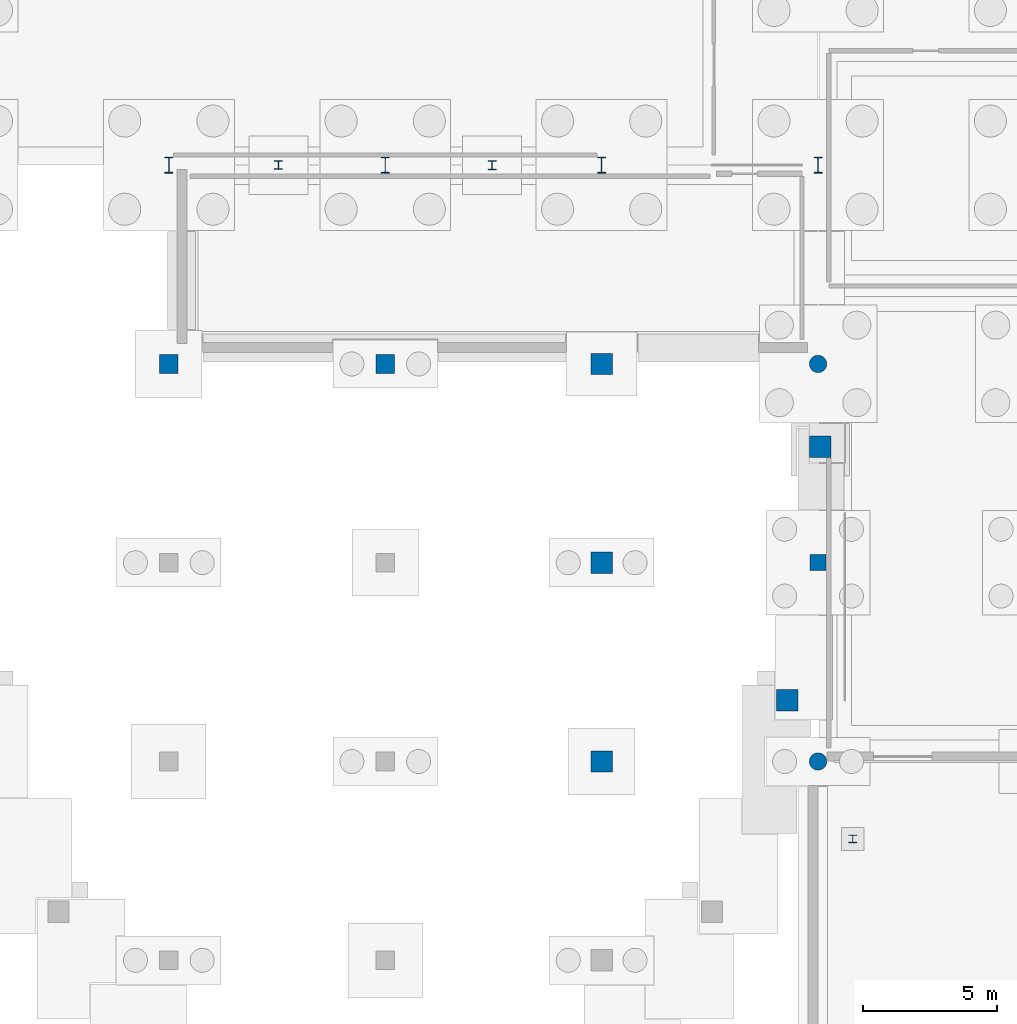
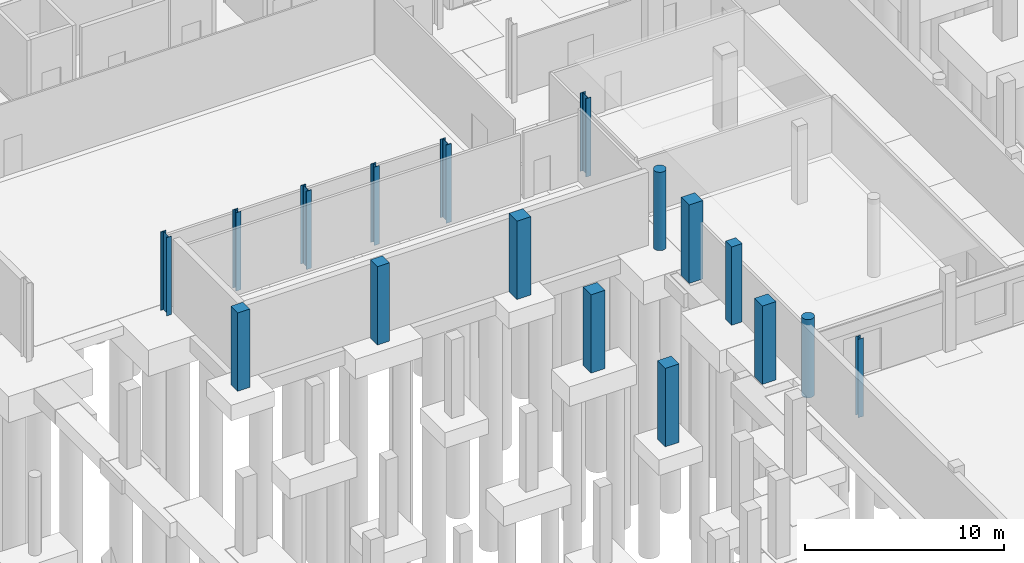
# One storey, part 13 of 37: 17 columns.
"""IFC4 building model written with IfcOpenShell, lengths in metres."""

import ifcopenshell
import ifcopenshell.guid

model = None  # the IFC model being written
_history = None  # IfcOwnerHistory: only IFC2X3 demands one
_inside = {}  # id of a spatial element -> (the spatial element, [elements in it])
_under = {}  # id of a project, library or spatial element -> (it, [spatial elements below it])
_declared = {}  # id of a project -> (the project, [libraries it declares])
_typed = {}  # id of a type object -> (the type object, [elements of that type])
_made_of = {}  # id of a material, layer set ... -> (it, [elements and type objects made of it])


def new_model(schema):
    """Start an empty IFC model of exactly this schema.

    Asked for "IFC4X3", IfcOpenShell would pick the latest addendum, in which some entities
    have other attributes; the version numbers below select the first issue.
    IFC2X3 requires an IfcOwnerHistory on every rooted entity: one is made here for all.
    """
    global model, _history
    if schema == "IFC4X3":
        model = ifcopenshell.file(schema_version=(4, 3, 0, 0))
    else:
        model = ifcopenshell.file(schema=schema)
    _inside.clear()
    _under.clear()
    _declared.clear()
    _typed.clear()
    _made_of.clear()
    _history = None
    if model.schema == "IFC2X3":
        org = make("IfcOrganization", Name="unknown")
        user = make(
            "IfcPersonAndOrganization",
            ThePerson=make("IfcPerson", FamilyName="unknown"),
            TheOrganization=org,
        )
        app = make(
            "IfcApplication",
            ApplicationDeveloper=org,
            Version="unknown",
            ApplicationFullName="unknown",
            ApplicationIdentifier="unknown",
        )
        _history = make(
            "IfcOwnerHistory",
            OwningUser=user,
            OwningApplication=app,
            ChangeAction="ADDED",
            CreationDate=0,
        )
    return model


def make(cls, **values):
    """One entity of the class cls with the attributes given. An attribute that is None is left unset."""
    return model.create_entity(
        cls, **{name: value for name, value in values.items() if value is not None}
    )


def rooted(cls, **values):
    """An entity with a GlobalId (a new one), such as an element, a storey or a relation."""
    return make(cls, GlobalId=ifcopenshell.guid.new(), OwnerHistory=_history, **values)


def si_unit(unit_type, name, prefix=None):
    """IfcSIUnit, for example si_unit("LENGTHUNIT", "METRE", prefix="MILLI")."""
    return make("IfcSIUnit", UnitType=unit_type, Prefix=prefix, Name=name)


def assignment(units):
    """IfcUnitAssignment: the units of a project."""
    return None if units is None else make("IfcUnitAssignment", Units=units)


def point(xyz):
    """IfcCartesianPoint."""
    return None if xyz is None else make("IfcCartesianPoint", Coordinates=xyz)


def direction(xyz):
    """IfcDirection."""
    return None if xyz is None else make("IfcDirection", DirectionRatios=xyz)


def frame(location, z_axis=None, x_axis=None):
    """IfcAxis2Placement3D, a coordinate frame: its origin and axes. An axis left out is left unset."""
    return make(
        "IfcAxis2Placement3D",
        Location=point(location),
        Axis=direction(z_axis),
        RefDirection=direction(x_axis),
    )


def frame_2d(location, x_axis=None):
    """IfcAxis2Placement2D, a coordinate frame in the plane: its origin and x axis."""
    return make(
        "IfcAxis2Placement2D", Location=point(location), RefDirection=direction(x_axis)
    )


def origin():
    """The frame at (0, 0, 0) with its axes left unset."""
    return frame((0.0, 0.0, 0.0))


def origin_2d():
    """The frame at (0, 0) in the plane with its x axis left unset."""
    return frame_2d((0.0, 0.0))


def place(relative_to, where):
    """IfcLocalPlacement: puts the frame where relative to a parent placement (None: the world)."""
    return make(
        "IfcLocalPlacement", PlacementRelTo=relative_to, RelativePlacement=where
    )


def context(
    kind, dimensions, precision=None, world=None, true_north=None, identifier=None
):
    """IfcGeometricRepresentationContext, for example the 3D "Model" context."""
    return make(
        "IfcGeometricRepresentationContext",
        ContextIdentifier=identifier,
        ContextType=kind,
        CoordinateSpaceDimension=dimensions,
        Precision=precision,
        WorldCoordinateSystem=world,
        TrueNorth=true_north,
    )


def subcontext(parent, identifier, kind, view, scale=None):
    """IfcGeometricRepresentationSubContext, for example "Body" below "Model"."""
    return make(
        "IfcGeometricRepresentationSubContext",
        ContextIdentifier=identifier,
        ContextType=kind,
        ParentContext=parent,
        TargetScale=scale,
        TargetView=view,
    )


def project(units=None, contexts=None):
    """IfcProject with its units and contexts."""
    return rooted(
        "IfcProject",
        Name="project",
        RepresentationContexts=contexts,
        UnitsInContext=assignment(units),
    )


def spatial(cls, under=None, at=None, **own):
    """A site, building, storey or space (cls), placed at a placement, below another one or the project."""
    s = rooted(cls, ObjectPlacement=at, **own)
    if under is not None:
        _under.setdefault(under.id(), (under, []))[1].append(s)
    return s


def profile(cls, at=None, kind="AREA", **sizes):
    """A parametric profile (cls). Its sizes go by their IFC names, for example OverallWidth=200.0."""
    return make(cls, ProfileType=kind, Position=at, **sizes)


def rectangle(**sizes):
    """IfcRectangleProfileDef."""
    return profile("IfcRectangleProfileDef", **sizes)


def circle(**sizes):
    """IfcCircleProfileDef."""
    return profile("IfcCircleProfileDef", **sizes)


def i_section(**sizes):
    """IfcIShapeProfileDef."""
    return profile("IfcIShapeProfileDef", **sizes)


def extrude(swept, where, along, depth):
    """IfcExtrudedAreaSolid: the profile swept, set in the frame where, extruded along a direction by depth."""
    return make(
        "IfcExtrudedAreaSolid",
        SweptArea=swept,
        Position=where,
        ExtrudedDirection=direction(along),
        Depth=depth,
    )


def shape(context_of_items, identifier, shape_type, items):
    """IfcShapeRepresentation: the items that make up one representation, for example the "Body"."""
    return make(
        "IfcShapeRepresentation",
        ContextOfItems=context_of_items,
        RepresentationIdentifier=identifier,
        RepresentationType=shape_type,
        Items=items,
    )


def material(Name=None, Category=None):
    """IfcMaterial."""
    return make("IfcMaterial", Name=Name, Category=Category)


def material_profile(
    of_material, cross_section, Name=None, Category=None, Priority=None
):
    """IfcMaterialProfile: a cross section and its material."""
    return make(
        "IfcMaterialProfile",
        Name=Name,
        Material=of_material,
        Profile=cross_section,
        Priority=Priority,
        Category=Category,
    )


def profile_set(profiles, Name=None, composite=None):
    """IfcMaterialProfileSet."""
    return make(
        "IfcMaterialProfileSet",
        Name=Name,
        MaterialProfiles=profiles,
        CompositeProfile=composite,
    )


def made_of(thing, what):
    """Note that an element or type object is made of a material, layer set ...; save() writes the relation."""
    if what is not None:
        _made_of.setdefault(what.id(), (what, []))[1].append(thing)
    return thing


def type_object(cls, material=None, **own):
    """A type object (cls), such as IfcWallType, which elements share."""
    return made_of(rooted(cls, **own), material)


def element(
    cls,
    number,
    at=None,
    inside=None,
    cuts=None,
    type_object=None,
    material=None,
    context=None,
    identifier="Body",
    shape_type=None,
    held_by="IfcProductDefinitionShape",
    body=None,
    shapes=None,
    **own,
):
    """One element of the class cls, such as IfcWall. Its Tag is "e" and its number.

    at: its placement. inside: the storey or other place that contains it. cuts: it is an
    opening in that element (IfcRelVoidsElement). A single representation is given by context,
    identifier, shape_type and body (its items); several are given by shapes. held_by: the class
    of the entity that holds the representations. save() writes the other relations.
    """
    e = rooted(cls, Tag="e%d" % number, ObjectPlacement=at, **own)
    if body is not None:
        shapes = [shape(context, identifier, shape_type, body)]
    if shapes is not None:
        e.Representation = make(held_by, Representations=shapes)
    if inside is not None:
        _inside.setdefault(inside.id(), (inside, []))[1].append(e)
    if cuts is not None:
        rooted(
            "IfcRelVoidsElement", RelatingBuildingElement=cuts, RelatedOpeningElement=e
        )
    if type_object is not None:
        _typed.setdefault(type_object.id(), (type_object, []))[1].append(e)
    return made_of(e, material)


def aggregate(whole, parts):
    """IfcRelAggregates: a whole, such as a stair, and the parts it consists of."""
    return rooted("IfcRelAggregates", RelatingObject=whole, RelatedObjects=parts)


def save(model, path):
    """Write the relations noted so far, then the file.

    IfcRelAggregates (storeys below a building ...), IfcRelContainedInSpatialStructure (elements
    in a storey), IfcRelDefinesByType, IfcRelAssociatesMaterial and IfcRelDeclares: one each for
    every whole, place, type object, material and project.
    """
    for whole, parts in _under.values():
        aggregate(whole, parts)
    for where, things in _inside.values():
        rooted(
            "IfcRelContainedInSpatialStructure",
            RelatedElements=things,
            RelatingStructure=where,
        )
    for kind, things in _typed.values():
        rooted("IfcRelDefinesByType", RelatedObjects=things, RelatingType=kind)
    for what, things in _made_of.values():
        rooted("IfcRelAssociatesMaterial", RelatedObjects=things, RelatingMaterial=what)
    for by, libraries in _declared.values():
        rooted("IfcRelDeclares", RelatingContext=by, RelatedDefinitions=libraries)
    model.write(path)


model = new_model("IFC4")

# Units and contexts
model_context = context("Model", 3, precision=1e-05, world=origin(), true_north=direction((0.0, 1.0)))
body_context = subcontext(model_context, "Body", "Model", "MODEL_VIEW")
ifc_project = project(units=[si_unit("LENGTHUNIT", "METRE"), si_unit("AREAUNIT", "SQUARE_METRE"), si_unit("VOLUMEUNIT", "CUBIC_METRE"), si_unit("PLANEANGLEUNIT", "RADIAN"), si_unit("MASSUNIT", "GRAM", prefix="KILO")], contexts=[model_context])

# Site, building, storey
site_placement = place(None, origin())
site = spatial("IfcSite", under=ifc_project, at=site_placement, CompositionType="ELEMENT")
building_placement = place(site_placement, origin())
building = spatial("IfcBuilding", under=site, at=building_placement, Name="Kaelora Sail Theatre", CompositionType="ELEMENT")
storey_placement = place(building_placement, frame((0.0, 0.0, -4.800048828125)))
storey = spatial("IfcBuildingStorey", under=building, at=storey_placement, Name="B1", CompositionType="ELEMENT", Elevation=-4.800048828125)

# Columns
ifc_material_1 = material(Name="Steel S355", Category="steel")
ifc_material_profile_1 = material_profile(ifc_material_1, i_section(OverallWidth=0.300048828125, OverallDepth=0.2900390625, WebThickness=0.008544921875, FlangeThickness=0.013916015625, FilletRadius=0.027099609375, at=origin_2d()), Name="HEA 300")
ifc_profile_set_1 = profile_set([ifc_material_profile_1], Name="Steel S355")
column_type_1 = type_object("IfcColumnType", Name="STR-COL-C-HEA300", PredefinedType="COLUMN", material=ifc_profile_set_1)
column_1_placement = place(storey_placement, frame((59.5, 35.800048828125, 0.0), z_axis=(0.0, 0.0, 1.0), x_axis=(1.0, 0.0, 0.0)))
element("IfcColumn", 1, at=column_1_placement, inside=storey, type_object=column_type_1, Name="Entrance canopy substructure pier W", PredefinedType="COLUMN", context=body_context, shape_type="SweptSolid", body=[
    extrude(i_section(OverallWidth=0.300048828125, OverallDepth=0.2900390625, WebThickness=0.008544921875, FlangeThickness=0.013916015625, FilletRadius=0.027099609375, at=origin_2d()), origin(), (0.0, 0.0, 1.0), 4.800048828125),
])
ifc_material_2 = material(Name="Steel S355", Category="steel")
ifc_material_profile_2 = material_profile(ifc_material_2, i_section(OverallWidth=0.300048828125, OverallDepth=0.320068359375, WebThickness=0.011474609375, FlangeThickness=0.0205078125, FilletRadius=0.027099609375, at=origin_2d()), Name="HEB 320")
ifc_profile_set_2 = profile_set([ifc_material_profile_2], Name="Steel S355")
column_type_2 = type_object("IfcColumnType", Name="STR-COL-C-HEB320", PredefinedType="COLUMN", material=ifc_profile_set_2)
column_2_placement = place(storey_placement, frame((38.0, 61.02001953125, 0.0), z_axis=(0.0, 0.0, 1.0), x_axis=(1.0, 0.0, 0.0)))
element("IfcColumn", 2, at=column_2_placement, inside=storey, type_object=column_type_2, Name="Understage/Link substructure column 05", PredefinedType="COLUMN", context=body_context, shape_type="SweptSolid", body=[
    extrude(i_section(OverallWidth=0.300048828125, OverallDepth=0.320068359375, WebThickness=0.011474609375, FlangeThickness=0.0205078125, FilletRadius=0.027099609375, at=origin_2d()), origin(), (0.0, 0.0, 1.0), 4.800048828125),
])
ifc_material_3 = material(Name="Steel S355", Category="steel")
ifc_material_profile_3 = material_profile(ifc_material_3, i_section(OverallWidth=0.300048828125, OverallDepth=0.340087890625, WebThickness=0.011962890625, FlangeThickness=0.021484375, FilletRadius=0.027099609375, at=origin_2d()), Name="HEB 340")
ifc_profile_set_3 = profile_set([ifc_material_profile_3], Name="Steel S355")
column_type_3 = type_object("IfcColumnType", Name="STR-COL-C-HEB340", PredefinedType="COLUMN", material=ifc_profile_set_3)
column_3_placement = place(storey_placement, frame((46.0, 61.02001953125, 0.0), z_axis=(0.0, 0.0, 1.0), x_axis=(1.0, 0.0, 0.0)))
element("IfcColumn", 3, at=column_3_placement, inside=storey, type_object=column_type_3, Name="Understage/Link substructure column 06", PredefinedType="COLUMN", context=body_context, shape_type="SweptSolid", body=[
    extrude(i_section(OverallWidth=0.300048828125, OverallDepth=0.340087890625, WebThickness=0.011962890625, FlangeThickness=0.021484375, FilletRadius=0.027099609375, at=origin_2d()), origin(), (0.0, 0.0, 1.0), 4.800048828125),
])
ifc_material_4 = material(Name="Steel S355", Category="steel")
ifc_material_profile_4 = material_profile(ifc_material_4, i_section(OverallWidth=0.300048828125, OverallDepth=0.60009765625, WebThickness=0.015380859375, FlangeThickness=0.030029296875, FilletRadius=0.027099609375, at=origin_2d()), Name="HEB 600")
ifc_profile_set_4 = profile_set([ifc_material_profile_4], Name="Steel S355")
column_type_4 = type_object("IfcColumnType", Name="STR-COL-C-HEB600", PredefinedType="COLUMN", material=ifc_profile_set_4)
for number, where, z_axis, x_axis, name in (
    (4, (33.89990234375, 61.02001953125, 0.0), (0.0, 0.0, 1.0), (1.0, 0.0, 0.0), "Column 5/I (B1)"),
    (5, (42.0, 61.02001953125, 0.0), (0.0, 0.0, 1.0), (1.0, 0.0, 0.0), "Column 6/I (B1)"),
    (6, (50.10009765625, 61.02001953125, 0.0), (0.0, 0.0, 1.0), (1.0, 0.0, 0.0), "Column 7/I (B1)"),
    (7, (58.199951171875, 61.02001953125, 0.0), (0.0, 0.0, 1.0), (1.0, 0.0, 0.0), "Column 8/I (B1)"),
):
    element("IfcColumn", number, at=place(storey_placement, frame(where, z_axis=z_axis, x_axis=x_axis)), inside=storey, type_object=column_type_4, Name=name, PredefinedType="COLUMN", context=body_context, shape_type="SweptSolid", body=[
        extrude(i_section(OverallWidth=0.300048828125, OverallDepth=0.60009765625, WebThickness=0.015380859375, FlangeThickness=0.030029296875, FilletRadius=0.027099609375, at=origin_2d()), origin(), (0.0, 0.0, 1.0), 4.800048828125),
    ])
ifc_material_5 = material(Name="Concrete C40/50", Category="concrete")
ifc_material_profile_5 = material_profile(ifc_material_5, rectangle(XDim=0.60009765625, YDim=0.60009765625, at=origin_2d()), Name="RC-COL 600x600")
ifc_profile_set_5 = profile_set([ifc_material_profile_5], Name="Concrete C40/50")
column_type_5 = type_object("IfcColumnType", Name="STR-COL-C-RC600", PredefinedType="COLUMN", material=ifc_profile_set_5)
column_4_placement = place(storey_placement, frame((58.199951171875, 46.139892578125, 0.0), z_axis=(0.0, 0.0, 1.0), x_axis=(1.0, 0.0, 0.0)))
element("IfcColumn", 8, at=column_4_placement, inside=storey, type_object=column_type_5, Name="Column 8/G (B1)", PredefinedType="COLUMN", context=body_context, shape_type="SweptSolid", body=[
    extrude(rectangle(XDim=0.60009765625, YDim=0.60009765625, at=origin_2d()), origin(), (0.0, 0.0, 1.0), 4.800048828125),
])
ifc_material_6 = material(Name="Concrete C45/55", Category="concrete")
ifc_material_profile_6 = material_profile(ifc_material_6, rectangle(XDim=0.699951171875, YDim=0.699951171875, at=origin_2d()), Name="RC-COL 700x700")
ifc_profile_set_6 = profile_set([ifc_material_profile_6], Name="Concrete C45/55")
column_type_6 = type_object("IfcColumnType", Name="STR-COL-C-RC700", PredefinedType="COLUMN", material=ifc_profile_set_6)
for number, where, z_axis, x_axis, name in (
    (9, (33.89990234375, 53.580078125, 0.0), (0.0, 0.0, 1.0), (1.0, 0.0, 0.0), "Column 5/H (B1)"),
    (10, (42.0, 53.580078125, 0.0), (0.0, 0.0, 1.0), (1.0, 0.0, 0.0), "Column 6/H (B1)"),
):
    element("IfcColumn", number, at=place(storey_placement, frame(where, z_axis=z_axis, x_axis=x_axis)), inside=storey, type_object=column_type_6, Name=name, PredefinedType="COLUMN", context=body_context, shape_type="SweptSolid", body=[
        extrude(rectangle(XDim=0.699951171875, YDim=0.699951171875, at=origin_2d()), origin(), (0.0, 0.0, 1.0), 4.800048828125),
    ])
ifc_material_7 = material(Name="Concrete C50/60", Category="concrete")
ifc_material_profile_7 = material_profile(ifc_material_7, rectangle(XDim=0.800048828125, YDim=0.800048828125, at=origin_2d()), Name="RC-COL 800x800")
ifc_profile_set_7 = profile_set([ifc_material_profile_7], Name="Concrete C50/60")
column_type_7 = type_object("IfcColumnType", Name="STR-COL-C-RC800", PredefinedType="COLUMN", material=ifc_profile_set_7)
for number, where, z_axis, x_axis, name in (
    (11, (50.10009765625, 38.699951171875, 0.0), (0.0, 0.0, 1.0), (1.0, 0.0, 0.0), "Column 7/F (B1)"),
    (12, (50.10009765625, 46.139892578125, 0.0), (0.0, 0.0, 1.0), (1.0, 0.0, 0.0), "Column 7/G (B1)"),
    (13, (50.10009765625, 53.580078125, 0.0), (0.0, 0.0, 1.0), (1.0, 0.0, 0.0), "Column 7/H (B1)"),
    (14, (58.28369140625, 50.482421875, 0.0), (0.0, 0.0, 1.0), (1.0, 0.0, 0.0), "Main drum perimeter column MK02 (B1)"),
    (15, (57.040283203125, 40.99072265625, 0.0), (0.0, 0.0, 1.0), (1.0, 0.0, 0.0), "Main drum perimeter column MK04 (B1)"),
):
    element("IfcColumn", number, at=place(storey_placement, frame(where, z_axis=z_axis, x_axis=x_axis)), inside=storey, type_object=column_type_7, Name=name, PredefinedType="COLUMN", context=body_context, shape_type="SweptSolid", body=[
        extrude(rectangle(XDim=0.800048828125, YDim=0.800048828125, at=origin_2d()), origin(), (0.0, 0.0, 1.0), 4.800048828125),
    ])
ifc_material_8 = material(Name="Concrete C45/55", Category="concrete")
ifc_material_profile_8 = material_profile(ifc_material_8, circle(Radius=0.324951171875, at=origin_2d()), Name="RC-CCOL D650")
ifc_profile_set_8 = profile_set([ifc_material_profile_8], Name="Concrete C45/55")
column_type_8 = type_object("IfcColumnType", Name="STR-COL-C-RCD650", PredefinedType="COLUMN", material=ifc_profile_set_8)
for number, where, z_axis, x_axis, name in (
    (16, (58.199951171875, 38.699951171875, 0.0), (0.0, 0.0, 1.0), (1.0, 0.0, 0.0), "Column 8/F (B1)"),
    (17, (58.199951171875, 53.580078125, 0.0), (0.0, 0.0, 1.0), (1.0, 0.0, 0.0), "Column 8/H (B1)"),
):
    element("IfcColumn", number, at=place(storey_placement, frame(where, z_axis=z_axis, x_axis=x_axis)), inside=storey, type_object=column_type_8, Name=name, PredefinedType="COLUMN", context=body_context, shape_type="SweptSolid", body=[
        extrude(circle(Radius=0.324951171875, at=origin_2d()), origin(), (0.0, 0.0, 1.0), 4.800048828125),
    ])

save(model, "model.ifc")
